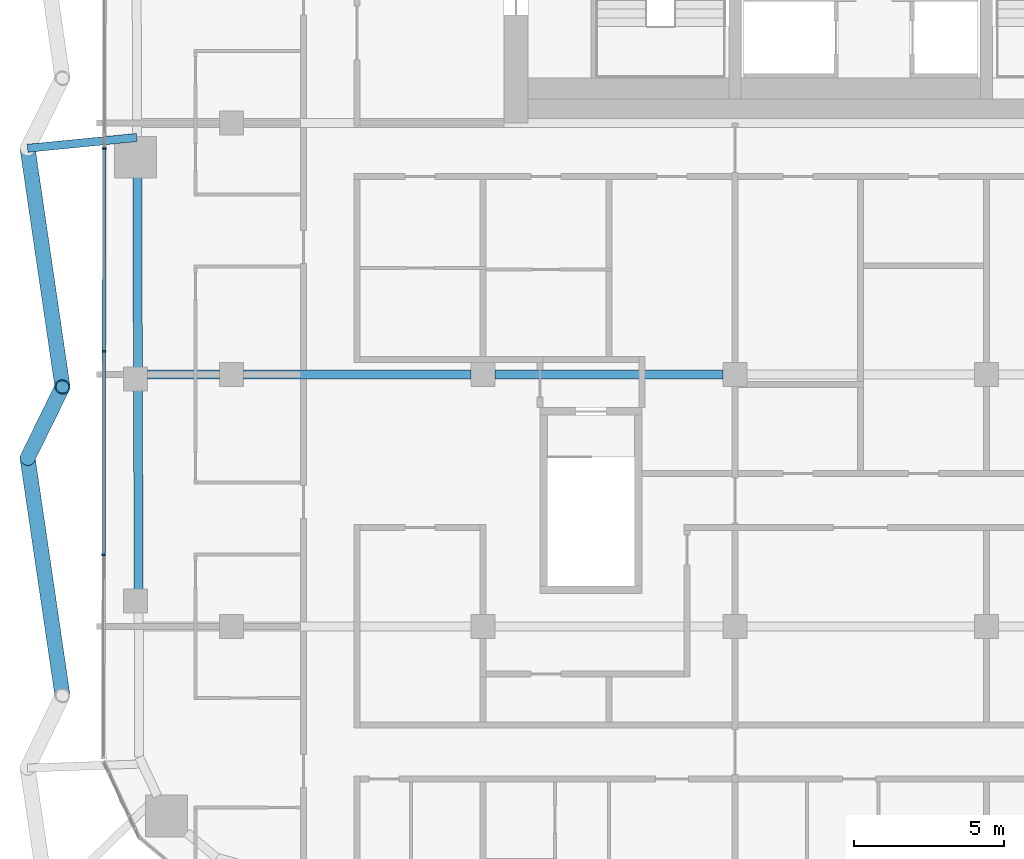
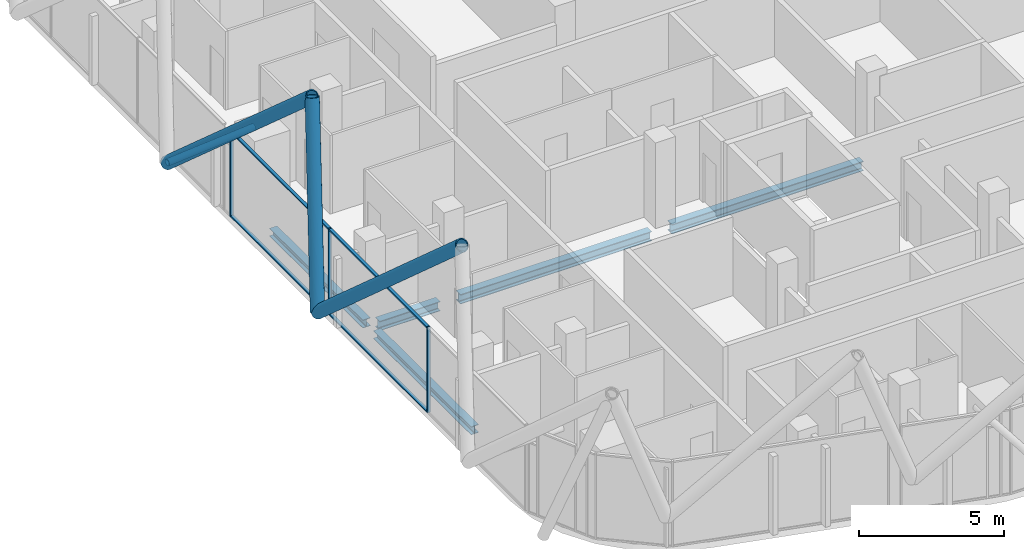
# One storey, part 4 of 33: 11 members, 5 beams, 1 element without a shape of its own.
"""IFC4 building model written with IfcOpenShell, lengths in metres."""

from ifc_helpers import new_model, si_unit, direction, frame, origin, origin_2d, place, context, subcontext, project, spatial, rectangle, hollow_circle, i_section, extrude, material, layer, layer_set, material_profile, profile_set, type_object, element, aggregate, save


model = new_model("IFC4")

# Units and contexts
model_context = context("Model", 3, precision=1e-05, world=origin(), true_north=direction((0.0, 1.0)))
body_context = subcontext(model_context, "Body", "Model", "MODEL_VIEW")
ifc_project = project(units=[si_unit("LENGTHUNIT", "METRE"), si_unit("AREAUNIT", "SQUARE_METRE"), si_unit("VOLUMEUNIT", "CUBIC_METRE"), si_unit("PLANEANGLEUNIT", "RADIAN"), si_unit("MASSUNIT", "GRAM", prefix="KILO")], contexts=[model_context])

# Site, building, storey
site_placement = place(None, origin())
site = spatial("IfcSite", under=ifc_project, at=site_placement, CompositionType="ELEMENT")
building_placement = place(site_placement, origin())
building = spatial("IfcBuilding", under=site, at=building_placement, Name="Marenta Gate Hotel Tower", CompositionType="ELEMENT")
storey_placement = place(building_placement, frame((0.0, 0.0, 248.89990234375)))
storey = spatial("IfcBuildingStorey", under=building, at=storey_placement, Name="L59", CompositionType="ELEMENT", Elevation=248.89990234375)

# Members
ifc_material_1 = material(Name="Steel S355J2W", Category="steel")
ifc_material_profile_1 = material_profile(ifc_material_1, hollow_circle(Radius=0.25390625, WallThickness=0.0400390625, at=origin_2d()), Name="CHS 508x40")
ifc_profile_set_1 = profile_set([ifc_material_profile_1], Name="Steel S355J2W")
member_type_1 = type_object("IfcMemberType", Name="Diagrid diagonal T3 CHS 508x40", PredefinedType="BRACE", material=ifc_profile_set_1)
member_1_placement = place(storey_placement, frame((-27.800048828125, -11.190185546875, 3.14013671875), z_axis=(0.108191409694, -0.735687982643, 0.668623818797), x_axis=(0.989358748109, 0.145496623809, 0.0)))
element("IfcMember", 1, at=member_1_placement, inside=storey, type_object=member_type_1, Name="L59-DG-27", PredefinedType="BRACE", context=body_context, shape_type="SweptSolid", body=[
    extrude(hollow_circle(Radius=0.25390625, WallThickness=0.0400390625, at=origin_2d()), origin(), (0.0, 0.0, 1.0), 10.768310546875),
])
member_2_placement = place(storey_placement, frame((-27.800048828125, -11.190185546875, 3.14013671875), z_axis=(0.151871336562, 0.30988499667, 0.938566132976), x_axis=(-0.89795859702, 0.440079945053, 0.0)))
element("IfcMember", 2, at=member_2_placement, inside=storey, type_object=member_type_1, Name="L59-DG-28", PredefinedType="BRACE", context=body_context, shape_type="SweptSolid", body=[
    extrude(hollow_circle(Radius=0.25390625, WallThickness=0.0400390625, at=origin_2d()), origin(), (0.0, 0.0, 1.0), 7.671142578125),
])
member_3_placement = place(storey_placement, frame((-27.800048828125, -0.85009765625, 3.14013671875), z_axis=(0.10789052731, -0.737417736538, 0.666764363142), x_axis=(0.989465728106, 0.144767306062, 0.0)))
element("IfcMember", 3, at=member_3_placement, inside=storey, type_object=member_type_1, Name="L59-DG-29", PredefinedType="BRACE", context=body_context, shape_type="SweptSolid", body=[
    extrude(hollow_circle(Radius=0.25390625, WallThickness=0.0400390625, at=origin_2d()), origin(), (0.0, 0.0, 1.0), 10.79833984375),
])

# Beams
ifc_material_2 = material(Name="Steel S355", Category="steel")
ifc_material_profile_2 = material_profile(ifc_material_2, i_section(OverallWidth=0.300048828125, OverallDepth=0.340087890625, WebThickness=0.011962890625, FlangeThickness=0.021484375, FilletRadius=0.027099609375, at=origin_2d()), Name="HEB 340")
ifc_profile_set_2 = profile_set([ifc_material_profile_2], Name="Steel S355")
beam_type_1 = type_object("IfcBeamType", Name="Edge beam HEB 340", PredefinedType="SPANDREL", material=ifc_profile_set_2)
beam_1_placement = place(storey_placement, frame((-24.09375, -15.591796875, -0.429931640625), z_axis=(-0.00332539729, 0.999994470851, 0.0), x_axis=(-0.999994470851, -0.00332539729, 0.0)))
element("IfcBeam", 4, at=beam_1_placement, inside=storey, type_object=beam_type_1, Name="L59-EB-6", PredefinedType="SPANDREL", context=body_context, shape_type="SweptSolid", body=[
    extrude(i_section(OverallWidth=0.300048828125, OverallDepth=0.340087890625, WebThickness=0.011962890625, FlangeThickness=0.021484375, FilletRadius=0.027099609375, at=origin_2d()), origin(), (0.0, 0.0, 1.0), 6.680908203125),
])
beam_2_placement = place(storey_placement, frame((-24.118408203125, -8.19091796875, -0.429931640625), z_axis=(-0.003328723523, 0.999994459785, 0.0), x_axis=(-0.999994459785, -0.003328723523, 0.0)))
element("IfcBeam", 5, at=beam_2_placement, inside=storey, type_object=beam_type_1, Name="L59-EB-7", PredefinedType="SPANDREL", context=body_context, shape_type="SweptSolid", body=[
    extrude(i_section(OverallWidth=0.300048828125, OverallDepth=0.340087890625, WebThickness=0.011962890625, FlangeThickness=0.021484375, FilletRadius=0.027099609375, at=origin_2d()), origin(), (0.0, 0.0, 1.0), 6.380859375),
])

# Member
ifc_material_3 = material(Name="Steel S355J2W", Category="steel")
ifc_material_profile_3 = material_profile(ifc_material_3, hollow_circle(Radius=0.136474609375, WallThickness=0.012451171875, at=origin_2d()), Name="CHS 273x12.5")
ifc_profile_set_3 = profile_set([ifc_material_profile_3], Name="Steel S355J2W")
member_type_2 = type_object("IfcMemberType", Name="Floor tie CHS 273x12.5", PredefinedType="STRUT", material=ifc_profile_set_3)
member_4_placement = place(storey_placement, frame((-27.800048828125, -0.85009765625, 3.14013671875), z_axis=(0.995184080889, 0.09802369685, 0.0), x_axis=(-0.09802369685, 0.995184080889, 0.0)))
element("IfcMember", 6, at=member_4_placement, inside=storey, type_object=member_type_2, Name="L59-DR-20", PredefinedType="STRUT", context=body_context, shape_type="SweptSolid", body=[
    extrude(hollow_circle(Radius=0.136474609375, WallThickness=0.012451171875, at=origin_2d()), origin(), (0.0, 0.0, 1.0), 3.65869140625),
])

# Beams
ifc_material_4 = material(Name="Steel S355", Category="steel")
ifc_material_profile_4 = material_profile(ifc_material_4, i_section(OverallWidth=0.300048828125, OverallDepth=0.39990234375, WebThickness=0.013427734375, FlangeThickness=0.02392578125, FilletRadius=0.027099609375, at=origin_2d()), Name="HEB 400")
ifc_profile_set_4 = profile_set([ifc_material_profile_4], Name="Steel S355")
beam_type_2 = type_object("IfcBeamType", Name="Girder HEB 400", PredefinedType="BEAM", material=ifc_profile_set_4)
beam_3_placement = place(storey_placement, frame((-23.800048828125, -8.39990234375, -0.4599609375), z_axis=(1.0, 0.0, 0.0), x_axis=(0.0, 1.0, 0.0)))
element("IfcBeam", 7, at=beam_3_placement, inside=storey, type_object=beam_type_2, Name="L59-GD-13", PredefinedType="BEAM", context=body_context, shape_type="SweptSolid", body=[
    extrude(i_section(OverallWidth=0.300048828125, OverallDepth=0.39990234375, WebThickness=0.013427734375, FlangeThickness=0.02392578125, FilletRadius=0.027099609375, at=origin_2d()), origin(), (0.0, 0.0, 1.0), 2.400146484375),
])
beam_4_placement = place(storey_placement, frame((-20.60009765625, -8.39990234375, -0.4599609375), z_axis=(1.0, 0.0, 0.0), x_axis=(0.0, 1.0, 0.0)))
element("IfcBeam", 8, at=beam_4_placement, inside=storey, type_object=beam_type_2, Name="L59-GD-14", PredefinedType="BEAM", context=body_context, shape_type="SweptSolid", body=[
    extrude(i_section(OverallWidth=0.300048828125, OverallDepth=0.39990234375, WebThickness=0.013427734375, FlangeThickness=0.02392578125, FilletRadius=0.027099609375, at=origin_2d()), origin(), (0.0, 0.0, 1.0), 7.60009765625),
])
beam_5_placement = place(storey_placement, frame((-12.199951171875, -8.39990234375, -0.4599609375), z_axis=(1.0, 0.0, 0.0), x_axis=(0.0, 1.0, 0.0)))
element("IfcBeam", 9, at=beam_5_placement, inside=storey, type_object=beam_type_2, Name="L59-GD-15", PredefinedType="BEAM", context=body_context, shape_type="SweptSolid", body=[
    extrude(i_section(OverallWidth=0.300048828125, OverallDepth=0.39990234375, WebThickness=0.013427734375, FlangeThickness=0.02392578125, FilletRadius=0.027099609375, at=origin_2d()), origin(), (0.0, 0.0, 1.0), 7.599853515625),
])

# Curtain wall, members
ifc_material_5 = material(Name="Tinted insulated glass in bronze anodised frame", Category="glass")
ifc_layer = layer(ifc_material_5, 0.1201171875)
ifc_layer_set = layer_set([ifc_layer], Name="Tinted insulated glass in bronze anodised frame")
curtain_wall_type = type_object("IfcCurtainWallType", Name="Tower unitised curtain wall CW1", PredefinedType="NOTDEFINED", material=ifc_layer_set)
curtain_wall_placement = place(storey_placement, origin())
curtain_wall = element("IfcCurtainWall", 10, at=curtain_wall_placement, inside=storey, type_object=curtain_wall_type, Name="CW1 run G08", PredefinedType="NOTDEFINED")
ifc_material_6 = material(Name="Bronze anodised aluminium", Category="aluminium")
ifc_material_profile_5 = material_profile(ifc_material_6, rectangle(XDim=0.1201171875, YDim=0.06005859375, at=origin_2d()), Name="Mullion CW1 60x120 bronze anodised aluminium")
ifc_profile_set_5 = profile_set([ifc_material_profile_5], Name="Bronze anodised aluminium")
member_type_3 = type_object("IfcMemberType", Name="Mullion CW1 60x120 bronze anodised aluminium", PredefinedType="MULLION", material=ifc_profile_set_5)
member_5_placement = place(storey_placement, frame((-25.240966796875, -0.855712890625, 0.0), z_axis=(0.0, 0.0, 1.0), x_axis=(0.999998775908, -0.001564666982, 0.0)))
member_5 = element("IfcMember", 11, at=member_5_placement, type_object=member_type_3, Name="CW1 mullion 1", PredefinedType="MULLION", context=body_context, shape_type="SweptSolid", body=[
    extrude(rectangle(XDim=0.1201171875, YDim=0.06005859375, at=origin_2d()), origin(), (0.0, 0.0, 1.0), 3.60009765625),
])
member_6_placement = place(storey_placement, frame((-25.251708984375, -7.62158203125, 0.0), z_axis=(0.0, 0.0, 1.0), x_axis=(0.999998775908, -0.001564666982, 0.0)))
member_6 = element("IfcMember", 12, at=member_6_placement, type_object=member_type_3, Name="CW1 mullion 2", PredefinedType="MULLION", context=body_context, shape_type="SweptSolid", body=[
    extrude(rectangle(XDim=0.1201171875, YDim=0.06005859375, at=origin_2d()), origin(), (0.0, 0.0, 1.0), 3.60009765625),
])
member_7_placement = place(storey_placement, frame((-25.26220703125, -14.41748046875, 0.0), z_axis=(0.0, 0.0, 1.0), x_axis=(0.999998775908, -0.001564666982, 0.0)))
member_7 = element("IfcMember", 13, at=member_7_placement, type_object=member_type_3, Name="CW1 mullion 3", PredefinedType="MULLION", context=body_context, shape_type="SweptSolid", body=[
    extrude(rectangle(XDim=0.1201171875, YDim=0.06005859375, at=origin_2d()), origin(), (0.0, 0.0, 1.0), 3.60009765625),
])
ifc_material_7 = material(Name="Bronze anodised aluminium", Category="aluminium")
ifc_material_profile_6 = material_profile(ifc_material_7, rectangle(XDim=0.1201171875, YDim=0.06005859375, at=origin_2d()), Name="Transom CW1 60x120 bronze anodised aluminium")
ifc_profile_set_6 = profile_set([ifc_material_profile_6], Name="Bronze anodised aluminium")
member_type_4 = type_object("IfcMemberType", Name="Transom CW1 60x120 bronze anodised aluminium", PredefinedType="USERDEFINED", material=ifc_profile_set_6)
member_8_placement = place(storey_placement, frame((-25.2412109375, -0.8857421875, 0.030029296875), z_axis=(-0.001529105869, -0.999998830917, 0.0), x_axis=(0.999998830917, -0.001529105869, 0.0)))
member_8 = element("IfcMember", 14, at=member_8_placement, type_object=member_type_4, Name="CW1 transom 1.1", ObjectType="TRANSOM", PredefinedType="USERDEFINED", context=body_context, shape_type="SweptSolid", body=[
    extrude(rectangle(XDim=0.1201171875, YDim=0.06005859375, at=origin_2d()), origin(), (0.0, 0.0, 1.0), 6.705810546875),
])
member_9_placement = place(storey_placement, frame((-25.2412109375, -0.8857421875, 3.570068359375), z_axis=(-0.001529105869, -0.999998830917, 0.0), x_axis=(0.999998830917, -0.001529105869, 0.0)))
member_9 = element("IfcMember", 15, at=member_9_placement, type_object=member_type_4, Name="CW1 transom 1.2", ObjectType="TRANSOM", PredefinedType="USERDEFINED", context=body_context, shape_type="SweptSolid", body=[
    extrude(rectangle(XDim=0.1201171875, YDim=0.06005859375, at=origin_2d()), origin(), (0.0, 0.0, 1.0), 6.705810546875),
])
member_10_placement = place(storey_placement, frame((-25.251708984375, -7.651611328125, 0.030029296875), z_axis=(-0.001558533808, -0.999998785485, 0.0), x_axis=(0.999998785485, -0.001558533808, 0.0)))
member_10 = element("IfcMember", 16, at=member_10_placement, type_object=member_type_4, Name="CW1 transom 2.1", ObjectType="TRANSOM", PredefinedType="USERDEFINED", context=body_context, shape_type="SweptSolid", body=[
    extrude(rectangle(XDim=0.1201171875, YDim=0.06005859375, at=origin_2d()), origin(), (0.0, 0.0, 1.0), 6.73583984375),
])
member_11_placement = place(storey_placement, frame((-25.251708984375, -7.651611328125, 3.570068359375), z_axis=(-0.001558533808, -0.999998785485, 0.0), x_axis=(0.999998785485, -0.001558533808, 0.0)))
member_11 = element("IfcMember", 17, at=member_11_placement, type_object=member_type_4, Name="CW1 transom 2.2", ObjectType="TRANSOM", PredefinedType="USERDEFINED", context=body_context, shape_type="SweptSolid", body=[
    extrude(rectangle(XDim=0.1201171875, YDim=0.06005859375, at=origin_2d()), origin(), (0.0, 0.0, 1.0), 6.73583984375),
])
aggregate(curtain_wall, [member_5, member_6, member_7, member_8, member_9, member_10, member_11])

save(model, "model.ifc")
